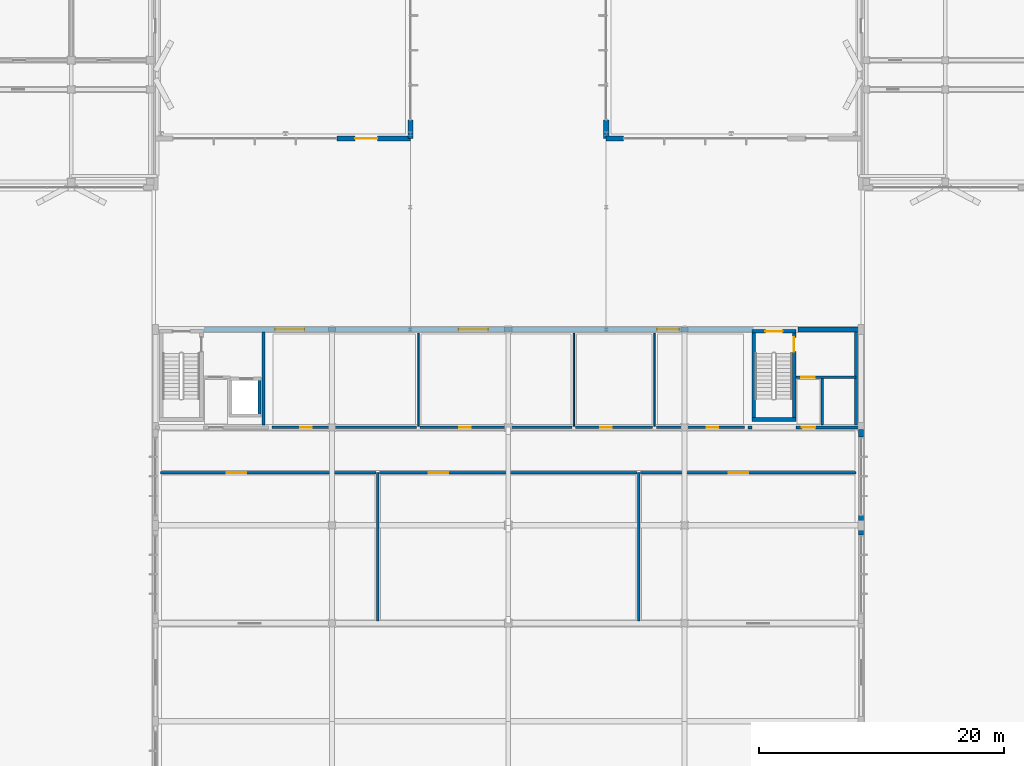
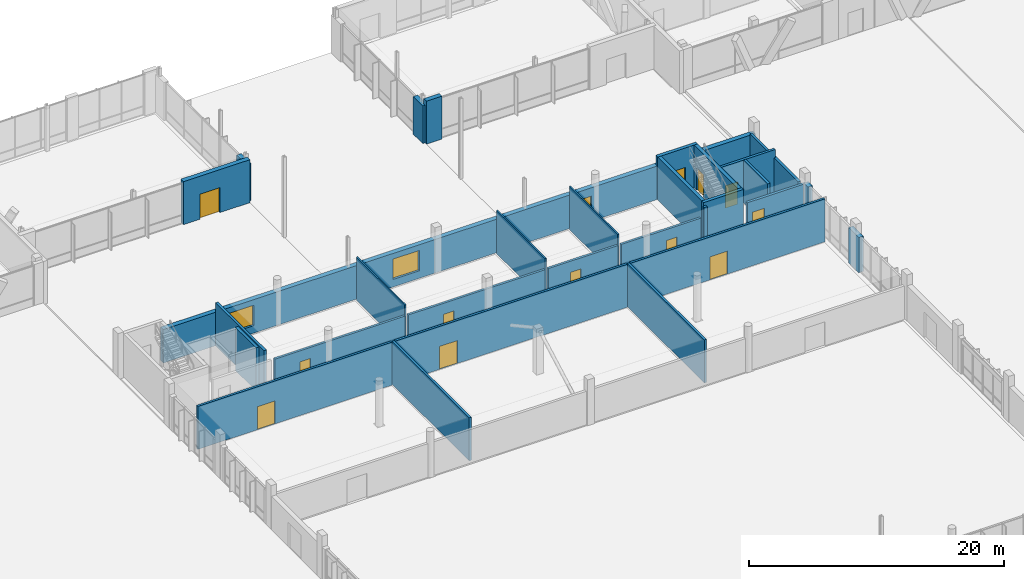
# One storey, part 199 of 233: 31 walls, 12 doors, 3 windows, 15 openings.
"""IFC4 building model written with IfcOpenShell, lengths in metres."""

from ifc_helpers import new_model, si_unit, direction, frame, frame_2d, origin, origin_with_axes, place, context, subcontext, project, spatial, rectangle, extrude, material, layer, layer_set, type_object, element, fill, save


model = new_model("IFC4")

# Units and contexts
model_context = context("Model", 3, precision=1e-05, world=origin(), true_north=direction((0.0, 1.0)))
body_context = subcontext(model_context, "Body", "Model", "MODEL_VIEW")
ifc_project = project(units=[si_unit("LENGTHUNIT", "METRE"), si_unit("AREAUNIT", "SQUARE_METRE"), si_unit("VOLUMEUNIT", "CUBIC_METRE"), si_unit("PLANEANGLEUNIT", "RADIAN"), si_unit("MASSUNIT", "GRAM", prefix="KILO")], contexts=[model_context])

# Site, building, storey
site_placement = place(None, origin())
site = spatial("IfcSite", under=ifc_project, at=site_placement, CompositionType="ELEMENT")
building_placement = place(site_placement, origin())
building = spatial("IfcBuilding", under=site, at=building_placement, Name="Zavelmont Quarter", CompositionType="ELEMENT")
storey_placement = place(building_placement, origin())
storey = spatial("IfcBuildingStorey", under=building, at=storey_placement, Name="L00", CompositionType="ELEMENT", Elevation=0.0)

# Walls
ifc_material_1 = material(Name="Natural Belgian limestone", Category="masonry")
ifc_layer_1 = layer(ifc_material_1, 0.419921875)
ifc_layer_set_1 = layer_set([ifc_layer_1], Name="Natural Belgian limestone")
wall_type_1 = type_object("IfcWallType", Name="EW04", PredefinedType="STANDARD", material=ifc_layer_set_1)
wall_1_placement = place(storey_placement, frame((112.800048828125, 69.199951171875, 0.0), z_axis=(0.0, 0.0, 1.0), x_axis=(0.0, 1.0, 0.0)))
element("IfcWall", 1, at=wall_1_placement, inside=storey, type_object=wall_type_1, Name="L00 exterior limestone wall EW04", PredefinedType="STANDARD", context=body_context, shape_type="SweptSolid", body=[
    extrude(rectangle(XDim=1.60009765625, YDim=0.419921875, at=frame_2d((0.800048828125, 0.0))), origin(), (0.0, 0.0, 1.0), 3.360107421875),
])
wall_2_placement = place(storey_placement, frame((112.800048828125, 77.199951171875, 0.0), z_axis=(0.0, 0.0, 1.0), x_axis=(0.0, 1.0, 0.0)))
element("IfcWall", 2, at=wall_2_placement, inside=storey, type_object=wall_type_1, Name="L00 exterior limestone wall EW04", PredefinedType="STANDARD", context=body_context, shape_type="SweptSolid", body=[
    extrude(rectangle(XDim=0.650146484375, YDim=0.419921875, at=frame_2d((0.3251953125, 0.0))), origin(), (0.0, 0.0, 1.0), 3.360107421875),
])

# Wall, openings, windows
wall_3_placement = place(storey_placement, frame((59.14990234375, 86.0, 0.0), z_axis=(0.0, 0.0, 1.0), x_axis=(1.0, 0.0, 0.0)))
wall_3 = element("IfcWall", 3, at=wall_3_placement, inside=storey, type_object=wall_type_1, Name="L00 exterior limestone wall EW04", PredefinedType="STANDARD", context=body_context, shape_type="SweptSolid", body=[
    extrude(rectangle(XDim=44.900146484375, YDim=0.419921875, at=frame_2d((22.4501953125, 0.0))), origin(), (0.0, 0.0, 1.0), 3.2099609375),
])
opening_1_placement = place(wall_3_placement, frame((5.800048828125, 0.0, 0.719970703125)))
opening_1 = element("IfcOpeningElement", 4, at=opening_1_placement, cuts=wall_3, Name="Opening WN06", PredefinedType="OPENING", context=body_context, shape_type="SweptSolid", body=[
    extrude(rectangle(XDim=2.39990234375, YDim=1.949951171875, at=frame_2d((1.199951171875, 0.97509765625))), frame((0.0, 0.221923828125, 0.0), z_axis=(0.0, -1.0, 0.0), x_axis=(1.0, 0.0, 0.0)), (0.0, 0.0, 1.0), 0.44384765625),
])
opening_2_placement = place(wall_3_placement, frame((20.800048828125, 0.0, 0.719970703125)))
opening_2 = element("IfcOpeningElement", 5, at=opening_2_placement, cuts=wall_3, Name="Opening WN06", PredefinedType="OPENING", context=body_context, shape_type="SweptSolid", body=[
    extrude(rectangle(XDim=2.39990234375, YDim=1.949951171875, at=frame_2d((1.199951171875, 0.97509765625))), frame((0.0, 0.221923828125, 0.0), z_axis=(0.0, -1.0, 0.0), x_axis=(1.0, 0.0, 0.0)), (0.0, 0.0, 1.0), 0.44384765625),
])
opening_3_placement = place(wall_3_placement, frame((37.0048828125, 0.0, 0.719970703125)))
opening_3 = element("IfcOpeningElement", 6, at=opening_3_placement, cuts=wall_3, Name="Opening WN02", PredefinedType="OPENING", context=body_context, shape_type="SweptSolid", body=[
    extrude(rectangle(XDim=1.800048828125, YDim=1.699951171875, at=frame_2d((0.89990234375, 0.85009765625))), frame((0.0, 0.221923828125, 0.0), z_axis=(0.0, -1.0, 0.0), x_axis=(1.0, 0.0, 0.0)), (0.0, 0.0, 1.0), 0.44384765625),
])
ifc_material_2 = material(Name="Double low-E insulated glazing in thermally broken aluminium frame", Category="aluminium")
window_type_1 = type_object("IfcWindowType", Name="WN02", PartitioningType="SINGLE_PANEL", PredefinedType="WINDOW", material=ifc_material_2)
window_1_placement = place(opening_3_placement, origin_with_axes())
window_1 = element("IfcWindow", 7, at=window_1_placement, inside=storey, type_object=window_type_1, Name="L00 window WN02", OverallHeight=1.699951171875, OverallWidth=1.800048828125, PartitioningType="SINGLE_PANEL", PredefinedType="WINDOW", context=body_context, shape_type="SweptSolid", body=[
    extrude(rectangle(XDim=1.800048828125, YDim=1.699951171875, at=frame_2d((0.89990234375, 0.85009765625))), frame((0.0, 0.030029296875, 0.0), z_axis=(0.0, -1.0, 0.0), x_axis=(1.0, 0.0, 0.0)), (0.0, 0.0, 1.0), 0.06005859375),
])
fill(opening_3, window_1)
window_type_2 = type_object("IfcWindowType", Name="WN06", PartitioningType="SINGLE_PANEL", PredefinedType="WINDOW", material=ifc_material_2)
window_2_placement = place(opening_1_placement, origin_with_axes())
window_2 = element("IfcWindow", 8, at=window_2_placement, inside=storey, type_object=window_type_2, Name="L00 window WN06", OverallHeight=1.949951171875, OverallWidth=2.39990234375, PartitioningType="SINGLE_PANEL", PredefinedType="WINDOW", context=body_context, shape_type="SweptSolid", body=[
    extrude(rectangle(XDim=2.39990234375, YDim=1.949951171875, at=frame_2d((1.199951171875, 0.97509765625))), frame((0.0, 0.030029296875, 0.0), z_axis=(0.0, -1.0, 0.0), x_axis=(1.0, 0.0, 0.0)), (0.0, 0.0, 1.0), 0.06005859375),
])
fill(opening_1, window_2)
window_3_placement = place(opening_2_placement, origin_with_axes())
window_3 = element("IfcWindow", 9, at=window_3_placement, inside=storey, type_object=window_type_2, Name="L00 window WN06", OverallHeight=1.949951171875, OverallWidth=2.39990234375, PartitioningType="SINGLE_PANEL", PredefinedType="WINDOW", context=body_context, shape_type="SweptSolid", body=[
    extrude(rectangle(XDim=2.39990234375, YDim=1.949951171875, at=frame_2d((1.199951171875, 0.97509765625))), frame((0.0, 0.030029296875, 0.0), z_axis=(0.0, -1.0, 0.0), x_axis=(1.0, 0.0, 0.0)), (0.0, 0.0, 1.0), 0.06005859375),
])
fill(opening_2, window_3)

# Wall
wall_4_placement = place(storey_placement, frame((107.64990234375, 86.0, 0.0), z_axis=(0.0, 0.0, 1.0), x_axis=(1.0, 0.0, 0.0)))
element("IfcWall", 10, at=wall_4_placement, inside=storey, type_object=wall_type_1, Name="L00 exterior limestone wall EW04", PredefinedType="STANDARD", context=body_context, shape_type="SweptSolid", body=[
    extrude(rectangle(XDim=5.150146484375, YDim=0.419921875, at=frame_2d((2.5751953125, 0.0))), origin(), (0.0, 0.0, 1.0), 3.2099609375),
])

# Wall, opening, door
wall_5_placement = place(storey_placement, frame((70.0, 101.60009765625, 0.0), z_axis=(0.0, 0.0, 1.0), x_axis=(1.0, 0.0, 0.0)))
wall_5 = element("IfcWall", 11, at=wall_5_placement, inside=storey, type_object=wall_type_1, Name="L00 exterior limestone wall EW04", PredefinedType="STANDARD", context=body_context, shape_type="SweptSolid", body=[
    extrude(rectangle(XDim=6.0, YDim=0.419921875, at=frame_2d((3.0, 0.0))), origin(), (0.0, 0.0, 1.0), 4.1201171875),
])
opening_4_placement = place(wall_5_placement, frame((1.5, 0.0, 0.0)))
opening_4 = element("IfcOpeningElement", 12, at=opening_4_placement, cuts=wall_5, Name="Opening DR01", PredefinedType="OPENING", context=body_context, shape_type="SweptSolid", body=[
    extrude(rectangle(XDim=1.800048828125, YDim=2.39990234375, at=frame_2d((0.89990234375, 1.199951171875))), frame((0.0, 0.221923828125, 0.0), z_axis=(0.0, -1.0, 0.0), x_axis=(1.0, 0.0, 0.0)), (0.0, 0.0, 1.0), 0.44384765625),
])
ifc_material_3 = material(Name="Powder-coated aluminium and tempered double safety glass", Category="aluminium")
door_type_1 = type_object("IfcDoorType", Name="DR01", OperationType="DOUBLE_DOOR_SINGLE_SWING", PredefinedType="DOOR", material=ifc_material_3)
door_1_placement = place(opening_4_placement, frame((1.800048828125, 0.0, 0.0), z_axis=(0.0, 0.0, 1.0), x_axis=(-1.0, 0.0, 0.0)))
door_1 = element("IfcDoor", 13, at=door_1_placement, inside=storey, type_object=door_type_1, Name="L00 exterior door DR01", OperationType="DOUBLE_DOOR_SINGLE_SWING", OverallHeight=2.39990234375, OverallWidth=1.800048828125, PredefinedType="DOOR", context=body_context, shape_type="SweptSolid", body=[
    extrude(rectangle(XDim=1.800048828125, YDim=2.39990234375, at=frame_2d((0.89990234375, 1.199951171875))), frame((0.0, 0.02490234375, 0.0), z_axis=(0.0, -1.0, 0.0), x_axis=(1.0, 0.0, 0.0)), (0.0, 0.0, 1.0), 0.050048828125),
])
fill(opening_4, door_1)

# Walls
wall_6_placement = place(storey_placement, frame((76.0, 101.60009765625, 0.0), z_axis=(0.0, 0.0, 1.0), x_axis=(0.0, 1.0, 0.0)))
element("IfcWall", 14, at=wall_6_placement, inside=storey, type_object=wall_type_1, Name="L00 exterior limestone wall EW04", PredefinedType="STANDARD", context=body_context, shape_type="SweptSolid", body=[
    extrude(rectangle(XDim=1.5, YDim=0.419921875, at=frame_2d((0.75, 0.0))), origin(), (0.0, 0.0, 1.0), 3.610107421875),
])
wall_7_placement = place(storey_placement, frame((92.0, 101.60009765625, 0.0), z_axis=(0.0, 0.0, 1.0), x_axis=(1.0, 0.0, 0.0)))
element("IfcWall", 15, at=wall_7_placement, inside=storey, type_object=wall_type_1, Name="L00 exterior limestone wall EW04", PredefinedType="STANDARD", context=body_context, shape_type="SweptSolid", body=[
    extrude(rectangle(XDim=1.39990234375, YDim=0.419921875, at=frame_2d((0.699951171875, 0.0))), origin(), (0.0, 0.0, 1.0), 4.1201171875),
])
wall_8_placement = place(storey_placement, frame((92.0, 101.60009765625, 0.0), z_axis=(0.0, 0.0, 1.0), x_axis=(0.0, 1.0, 0.0)))
element("IfcWall", 16, at=wall_8_placement, inside=storey, type_object=wall_type_1, Name="L00 exterior limestone wall EW04", PredefinedType="STANDARD", context=body_context, shape_type="SweptSolid", body=[
    extrude(rectangle(XDim=1.5, YDim=0.419921875, at=frame_2d((0.75, 0.0))), origin(), (0.0, 0.0, 1.0), 3.610107421875),
])

# Wall, opening, door
ifc_material_4 = material(Name="Calcium-silicate blockwork and acoustic plaster", Category="masonry")
ifc_layer_2 = layer(ifc_material_4, 0.199951171875)
ifc_layer_set_2 = layer_set([ifc_layer_2], Name="Calcium-silicate blockwork and acoustic plaster")
wall_type_2 = type_object("IfcWallType", Name="IW01", PredefinedType="PARTITIONING", material=ifc_layer_set_2)
wall_9_placement = place(storey_placement, frame((55.60009765625, 74.300048828125, 0.0), z_axis=(0.0, 0.0, 1.0), x_axis=(1.0, 0.0, 0.0)))
wall_9 = element("IfcWall", 17, at=wall_9_placement, inside=storey, type_object=wall_type_2, Name="L00 Interior partition IW01", PredefinedType="PARTITIONING", context=body_context, shape_type="SweptSolid", body=[
    extrude(rectangle(XDim=17.599853515625, YDim=0.199951171875, at=frame_2d((8.7998046875, 0.0))), origin(), (0.0, 0.0, 1.0), 4.1201171875),
])
opening_5_placement = place(wall_9_placement, frame((5.39990234375, 0.0, 0.0)))
opening_5 = element("IfcOpeningElement", 18, at=opening_5_placement, cuts=wall_9, Name="Opening DR12", PredefinedType="OPENING", context=body_context, shape_type="SweptSolid", body=[
    extrude(rectangle(XDim=1.60009765625, YDim=2.199951171875, at=frame_2d((0.800048828125, 1.10009765625))), frame((0.0, 0.11181640625, 0.0), z_axis=(0.0, -1.0, 0.0), x_axis=(1.0, 0.0, 0.0)), (0.0, 0.0, 1.0), 0.223876953125),
])
ifc_material_5 = material(Name="Glazed oak acoustic fire door pair")
door_type_2 = type_object("IfcDoorType", Name="DR12", OperationType="DOUBLE_DOOR_SINGLE_SWING", PredefinedType="DOOR", material=ifc_material_5)
door_2_placement = place(opening_5_placement, frame((1.60009765625, 0.0, 0.0), z_axis=(0.0, 0.0, 1.0), x_axis=(-1.0, 0.0, 0.0)))
door_2 = element("IfcDoor", 19, at=door_2_placement, inside=storey, type_object=door_type_2, Name="L00 door DR12", OperationType="DOUBLE_DOOR_SINGLE_SWING", OverallHeight=2.199951171875, OverallWidth=1.60009765625, PredefinedType="DOOR", context=body_context, shape_type="SweptSolid", body=[
    extrude(rectangle(XDim=1.60009765625, YDim=2.199951171875, at=frame_2d((0.800048828125, 1.10009765625))), frame((0.0, 0.02490234375, 0.0), z_axis=(0.0, -1.0, 0.0), x_axis=(1.0, 0.0, 0.0)), (0.0, 0.0, 1.0), 0.050048828125),
])
fill(opening_5, door_2)

wall_10_placement = place(storey_placement, frame((73.5, 74.300048828125, 0.0), z_axis=(0.0, 0.0, 1.0), x_axis=(1.0, 0.0, 0.0)))
wall_10 = element("IfcWall", 20, at=wall_10_placement, inside=storey, type_object=wall_type_2, Name="L00 Interior partition IW01", PredefinedType="PARTITIONING", context=body_context, shape_type="SweptSolid", body=[
    extrude(rectangle(XDim=21.0, YDim=0.199951171875, at=frame_2d((10.5, 0.0))), origin(), (0.0, 0.0, 1.0), 4.1201171875),
])
opening_6_placement = place(wall_10_placement, frame((4.0, 0.0, 0.0)))
opening_6 = element("IfcOpeningElement", 21, at=opening_6_placement, cuts=wall_10, Name="Opening DR12", PredefinedType="OPENING", context=body_context, shape_type="SweptSolid", body=[
    extrude(rectangle(XDim=1.60009765625, YDim=2.199951171875, at=frame_2d((0.800048828125, 1.10009765625))), frame((0.0, 0.11181640625, 0.0), z_axis=(0.0, -1.0, 0.0), x_axis=(1.0, 0.0, 0.0)), (0.0, 0.0, 1.0), 0.223876953125),
])
door_3_placement = place(opening_6_placement, origin_with_axes())
door_3 = element("IfcDoor", 22, at=door_3_placement, inside=storey, type_object=door_type_2, Name="L00 door DR12", OperationType="DOUBLE_DOOR_SINGLE_SWING", OverallHeight=2.199951171875, OverallWidth=1.60009765625, PredefinedType="DOOR", context=body_context, shape_type="SweptSolid", body=[
    extrude(rectangle(XDim=1.60009765625, YDim=2.199951171875, at=frame_2d((0.800048828125, 1.10009765625))), frame((0.0, 0.02490234375, 0.0), z_axis=(0.0, -1.0, 0.0), x_axis=(1.0, 0.0, 0.0)), (0.0, 0.0, 1.0), 0.050048828125),
])
fill(opening_6, door_3)

wall_11_placement = place(storey_placement, frame((94.800048828125, 74.300048828125, 0.0), z_axis=(0.0, 0.0, 1.0), x_axis=(1.0, 0.0, 0.0)))
wall_11 = element("IfcWall", 23, at=wall_11_placement, inside=storey, type_object=wall_type_2, Name="L00 Interior partition IW01", PredefinedType="PARTITIONING", context=body_context, shape_type="SweptSolid", body=[
    extrude(rectangle(XDim=17.599853515625, YDim=0.199951171875, at=frame_2d((8.7998046875, 0.0))), origin(), (0.0, 0.0, 1.0), 4.1201171875),
])
opening_7_placement = place(wall_11_placement, frame((7.199951171875, 0.0, 0.0)))
opening_7 = element("IfcOpeningElement", 24, at=opening_7_placement, cuts=wall_11, Name="Opening DR12", PredefinedType="OPENING", context=body_context, shape_type="SweptSolid", body=[
    extrude(rectangle(XDim=1.60009765625, YDim=2.199951171875, at=frame_2d((0.800048828125, 1.10009765625))), frame((0.0, 0.11181640625, 0.0), z_axis=(0.0, -1.0, 0.0), x_axis=(1.0, 0.0, 0.0)), (0.0, 0.0, 1.0), 0.223876953125),
])
door_4_placement = place(opening_7_placement, frame((1.60009765625, 0.0, 0.0), z_axis=(0.0, 0.0, 1.0), x_axis=(-1.0, 0.0, 0.0)))
door_4 = element("IfcDoor", 25, at=door_4_placement, inside=storey, type_object=door_type_2, Name="L00 door DR12", OperationType="DOUBLE_DOOR_SINGLE_SWING", OverallHeight=2.199951171875, OverallWidth=1.60009765625, PredefinedType="DOOR", context=body_context, shape_type="SweptSolid", body=[
    extrude(rectangle(XDim=1.60009765625, YDim=2.199951171875, at=frame_2d((0.800048828125, 1.10009765625))), frame((0.0, 0.02490234375, 0.0), z_axis=(0.0, -1.0, 0.0), x_axis=(1.0, 0.0, 0.0)), (0.0, 0.0, 1.0), 0.050048828125),
])
fill(opening_7, door_4)

# Walls
for number, where, z_axis, x_axis, name in (
    (26, (73.35009765625, 62.199951171875, 0.0), (0.0, 0.0, 1.0), (0.0, 1.0, 0.0), "L00 Interior partition IW01"),
    (27, (94.64990234375, 62.199951171875, 0.0), (0.0, 0.0, 1.0), (0.0, 1.0, 0.0), "L00 Interior partition IW01"),
):
    element("IfcWall", number, at=place(storey_placement, frame(where, z_axis=z_axis, x_axis=x_axis)), inside=storey, type_object=wall_type_2, Name=name, PredefinedType="PARTITIONING", context=body_context, shape_type="SweptSolid", body=[
        extrude(rectangle(XDim=12.10009765625, YDim=0.199951171875, at=frame_2d((6.050048828125, 0.0))), origin(), (0.0, 0.0, 1.0), 4.1201171875),
    ])

# Wall, opening, door
wall_12_placement = place(storey_placement, frame((64.699951171875, 78.0, 0.0), z_axis=(0.0, 0.0, 1.0), x_axis=(1.0, 0.0, 0.0)))
wall_12 = element("IfcWall", 28, at=wall_12_placement, inside=storey, type_object=wall_type_2, Name="L00 Interior partition IW01", PredefinedType="PARTITIONING", context=body_context, shape_type="SweptSolid", body=[
    extrude(rectangle(XDim=11.800048828125, YDim=0.199951171875, at=frame_2d((5.89990234375, 0.0))), origin(), (0.0, 0.0, 1.0), 3.2099609375),
])
opening_8_placement = place(wall_12_placement, frame((2.300048828125, 0.0, 0.0)))
opening_8 = element("IfcOpeningElement", 29, at=opening_8_placement, cuts=wall_12, Name="Opening DR02", PredefinedType="OPENING", context=body_context, shape_type="SweptSolid", body=[
    extrude(rectangle(XDim=0.949951171875, YDim=2.14990234375, at=frame_2d((0.47509765625, 1.074951171875))), frame((0.0, 0.11181640625, 0.0), z_axis=(0.0, -1.0, 0.0), x_axis=(1.0, 0.0, 0.0)), (0.0, 0.0, 1.0), 0.223876953125),
])
ifc_material_6 = material(Name="Solid-core oak fire leaf in steel frame", Category="steel")
door_type_3 = type_object("IfcDoorType", Name="DR02", OperationType="NOTDEFINED", PredefinedType="DOOR", material=ifc_material_6)
door_5_placement = place(opening_8_placement, origin_with_axes())
door_5 = element("IfcDoor", 30, at=door_5_placement, inside=storey, type_object=door_type_3, Name="L00 door DR02", OperationType="SINGLE_SWING_LEFT", OverallHeight=2.14990234375, OverallWidth=0.949951171875, PredefinedType="DOOR", context=body_context, shape_type="SweptSolid", body=[
    extrude(rectangle(XDim=0.949951171875, YDim=2.14990234375, at=frame_2d((0.47509765625, 1.074951171875))), frame((0.0, 0.02490234375, 0.0), z_axis=(0.0, -1.0, 0.0), x_axis=(1.0, 0.0, 0.0)), (0.0, 0.0, 1.0), 0.050048828125),
])
fill(opening_8, door_5)

wall_13_placement = place(storey_placement, frame((76.800048828125, 78.0, 0.0), z_axis=(0.0, 0.0, 1.0), x_axis=(1.0, 0.0, 0.0)))
wall_13 = element("IfcWall", 31, at=wall_13_placement, inside=storey, type_object=wall_type_2, Name="L00 Interior partition IW01", PredefinedType="PARTITIONING", context=body_context, shape_type="SweptSolid", body=[
    extrude(rectangle(XDim=12.39990234375, YDim=0.199951171875, at=frame_2d((6.199951171875, 0.0))), origin(), (0.0, 0.0, 1.0), 3.2099609375),
])
opening_9_placement = place(wall_13_placement, frame((3.199951171875, 0.0, 0.0)))
opening_9 = element("IfcOpeningElement", 32, at=opening_9_placement, cuts=wall_13, Name="Opening DR02", PredefinedType="OPENING", context=body_context, shape_type="SweptSolid", body=[
    extrude(rectangle(XDim=0.949951171875, YDim=2.14990234375, at=frame_2d((0.47509765625, 1.074951171875))), frame((0.0, 0.11181640625, 0.0), z_axis=(0.0, -1.0, 0.0), x_axis=(1.0, 0.0, 0.0)), (0.0, 0.0, 1.0), 0.223876953125),
])
door_6_placement = place(opening_9_placement, frame((0.949951171875, 0.0, 0.0), z_axis=(0.0, 0.0, 1.0), x_axis=(-1.0, 0.0, 0.0)))
door_6 = element("IfcDoor", 33, at=door_6_placement, inside=storey, type_object=door_type_3, Name="L00 door DR02", OperationType="SINGLE_SWING_LEFT", OverallHeight=2.14990234375, OverallWidth=0.949951171875, PredefinedType="DOOR", context=body_context, shape_type="SweptSolid", body=[
    extrude(rectangle(XDim=0.949951171875, YDim=2.14990234375, at=frame_2d((0.47509765625, 1.074951171875))), frame((0.0, 0.02490234375, 0.0), z_axis=(0.0, -1.0, 0.0), x_axis=(1.0, 0.0, 0.0)), (0.0, 0.0, 1.0), 0.050048828125),
])
fill(opening_9, door_6)

wall_14_placement = place(storey_placement, frame((89.5, 78.0, 0.0), z_axis=(0.0, 0.0, 1.0), x_axis=(1.0, 0.0, 0.0)))
wall_14 = element("IfcWall", 34, at=wall_14_placement, inside=storey, type_object=wall_type_2, Name="L00 Interior partition IW01", PredefinedType="PARTITIONING", context=body_context, shape_type="SweptSolid", body=[
    extrude(rectangle(XDim=6.300048828125, YDim=0.199951171875, at=frame_2d((3.14990234375, 0.0))), origin(), (0.0, 0.0, 1.0), 3.2099609375),
])
opening_10_placement = place(wall_14_placement, frame((2.0, 0.0, 0.0)))
opening_10 = element("IfcOpeningElement", 35, at=opening_10_placement, cuts=wall_14, Name="Opening DR02", PredefinedType="OPENING", context=body_context, shape_type="SweptSolid", body=[
    extrude(rectangle(XDim=0.949951171875, YDim=2.14990234375, at=frame_2d((0.47509765625, 1.074951171875))), frame((0.0, 0.11181640625, 0.0), z_axis=(0.0, -1.0, 0.0), x_axis=(1.0, 0.0, 0.0)), (0.0, 0.0, 1.0), 0.223876953125),
])
door_7_placement = place(opening_10_placement, origin_with_axes())
door_7 = element("IfcDoor", 36, at=door_7_placement, inside=storey, type_object=door_type_3, Name="L00 door DR02", OperationType="SINGLE_SWING_LEFT", OverallHeight=2.14990234375, OverallWidth=0.949951171875, PredefinedType="DOOR", context=body_context, shape_type="SweptSolid", body=[
    extrude(rectangle(XDim=0.949951171875, YDim=2.14990234375, at=frame_2d((0.47509765625, 1.074951171875))), frame((0.0, 0.02490234375, 0.0), z_axis=(0.0, -1.0, 0.0), x_axis=(1.0, 0.0, 0.0)), (0.0, 0.0, 1.0), 0.050048828125),
])
fill(opening_10, door_7)

wall_15_placement = place(storey_placement, frame((96.10009765625, 78.0, 0.0), z_axis=(0.0, 0.0, 1.0), x_axis=(1.0, 0.0, 0.0)))
wall_15 = element("IfcWall", 37, at=wall_15_placement, inside=storey, type_object=wall_type_2, Name="L00 Interior partition IW01", PredefinedType="PARTITIONING", context=body_context, shape_type="SweptSolid", body=[
    extrude(rectangle(XDim=7.199951171875, YDim=0.199951171875, at=frame_2d((3.60009765625, 0.0))), origin(), (0.0, 0.0, 1.0), 3.2099609375),
])
opening_11_placement = place(wall_15_placement, frame((4.10009765625, 0.0, 0.0)))
opening_11 = element("IfcOpeningElement", 38, at=opening_11_placement, cuts=wall_15, Name="Opening DR02", PredefinedType="OPENING", context=body_context, shape_type="SweptSolid", body=[
    extrude(rectangle(XDim=0.949951171875, YDim=2.14990234375, at=frame_2d((0.47509765625, 1.074951171875))), frame((0.0, 0.11181640625, 0.0), z_axis=(0.0, -1.0, 0.0), x_axis=(1.0, 0.0, 0.0)), (0.0, 0.0, 1.0), 0.223876953125),
])
door_8_placement = place(opening_11_placement, frame((0.949951171875, 0.0, 0.0), z_axis=(0.0, 0.0, 1.0), x_axis=(-1.0, 0.0, 0.0)))
door_8 = element("IfcDoor", 39, at=door_8_placement, inside=storey, type_object=door_type_3, Name="L00 door DR02", OperationType="SINGLE_SWING_LEFT", OverallHeight=2.14990234375, OverallWidth=0.949951171875, PredefinedType="DOOR", context=body_context, shape_type="SweptSolid", body=[
    extrude(rectangle(XDim=0.949951171875, YDim=2.14990234375, at=frame_2d((0.47509765625, 1.074951171875))), frame((0.0, 0.02490234375, 0.0), z_axis=(0.0, -1.0, 0.0), x_axis=(1.0, 0.0, 0.0)), (0.0, 0.0, 1.0), 0.050048828125),
])
fill(opening_11, door_8)

# Walls
ifc_material_7 = material(Name="Reinforced masonry fire compartment wall", Category="masonry")
ifc_layer_3 = layer(ifc_material_7, 0.22509765625)
ifc_layer_set_3 = layer_set([ifc_layer_3], Name="Reinforced masonry fire compartment wall")
wall_type_3 = type_object("IfcWallType", Name="IW02", PredefinedType="PARTITIONING", material=ifc_layer_set_3)
wall_16_placement = place(storey_placement, frame((64.010009765625, 78.199951171875, 0.0), z_axis=(0.0, 0.0, 1.0), x_axis=(0.0, 1.0, 0.0)))
element("IfcWall", 40, at=wall_16_placement, inside=storey, type_object=wall_type_3, Name="L00 Firefighting lobby enclosure wall IW02", PredefinedType="PARTITIONING", context=body_context, shape_type="SweptSolid", body=[
    extrude(rectangle(XDim=7.60009765625, YDim=0.22509765625, at=frame_2d((3.800048828125, 0.0))), origin(), (0.0, 0.0, 1.0), 4.1201171875),
])
wall_17_placement = place(storey_placement, frame((112.409912109375, 78.199951171875, 0.0), z_axis=(0.0, 0.0, 1.0), x_axis=(0.0, 1.0, 0.0)))
element("IfcWall", 41, at=wall_17_placement, inside=storey, type_object=wall_type_3, Name="L00 Firefighting lobby enclosure wall IW02", PredefinedType="PARTITIONING", context=body_context, shape_type="SweptSolid", body=[
    extrude(rectangle(XDim=7.60009765625, YDim=0.22509765625, at=frame_2d((3.800048828125, 0.0))), origin(), (0.0, 0.0, 1.0), 3.360107421875),
])
wall_18_placement = place(storey_placement, frame((109.64990234375, 78.199951171875, 0.0), z_axis=(0.0, 0.0, 1.0), x_axis=(0.0, 1.0, 0.0)))
element("IfcWall", 42, at=wall_18_placement, inside=storey, type_object=wall_type_3, Name="L00 Vestibule side wall IW02", PredefinedType="PARTITIONING", context=body_context, shape_type="SweptSolid", body=[
    extrude(rectangle(XDim=3.800048828125, YDim=0.22509765625, at=frame_2d((1.89990234375, 0.0))), origin(), (0.0, 0.0, 1.0), 4.1201171875),
])

# Wall, opening, door
wall_19_placement = place(storey_placement, frame((107.5, 82.10009765625, 0.0), z_axis=(0.0, 0.0, 1.0), x_axis=(1.0, 0.0, 0.0)))
wall_19 = element("IfcWall", 43, at=wall_19_placement, inside=storey, type_object=wall_type_3, Name="L00 Firefighting lobby threshold wall IW02", PredefinedType="PARTITIONING", context=body_context, shape_type="SweptSolid", body=[
    extrude(rectangle(XDim=4.909912109375, YDim=0.22509765625, at=frame_2d((2.455078125, 0.0))), origin(), (0.0, 0.0, 1.0), 4.1201171875),
])
opening_12_placement = place(wall_19_placement, frame((0.449951171875, 0.0, 0.0)))
opening_12 = element("IfcOpeningElement", 44, at=opening_12_placement, cuts=wall_19, Name="Opening DR10", PredefinedType="OPENING", context=body_context, shape_type="SweptSolid", body=[
    extrude(rectangle(XDim=1.10009765625, YDim=2.14990234375, at=frame_2d((0.550048828125, 1.074951171875))), frame((0.0, 0.12451171875, 0.0), z_axis=(0.0, -1.0, 0.0), x_axis=(1.0, 0.0, 0.0)), (0.0, 0.0, 1.0), 0.2490234375),
])
ifc_material_8 = material(Name="Painted steel lobby fire door", Category="steel")
door_type_4 = type_object("IfcDoorType", Name="DR10", OperationType="NOTDEFINED", PredefinedType="DOOR", material=ifc_material_8)
door_9_placement = place(opening_12_placement, origin_with_axes())
door_9 = element("IfcDoor", 45, at=door_9_placement, inside=storey, type_object=door_type_4, Name="Firefighting lobby fire door", OperationType="SINGLE_SWING_LEFT", OverallHeight=2.14990234375, OverallWidth=1.10009765625, PredefinedType="DOOR", context=body_context, shape_type="SweptSolid", body=[
    extrude(rectangle(XDim=1.10009765625, YDim=2.14990234375, at=frame_2d((0.550048828125, 1.074951171875))), frame((0.0, 0.02490234375, 0.0), z_axis=(0.0, -1.0, 0.0), x_axis=(1.0, 0.0, 0.0)), (0.0, 0.0, 1.0), 0.050048828125),
])
fill(opening_12, door_9)

# Wall
wall_20_placement = place(storey_placement, frame((103.60009765625, 78.0, 0.0), z_axis=(0.0, 0.0, 1.0), x_axis=(1.0, 0.0, 0.0)))
element("IfcWall", 46, at=wall_20_placement, inside=storey, type_object=wall_type_3, Name="L00 Core corridor wall IW02", PredefinedType="PARTITIONING", context=body_context, shape_type="SweptSolid", body=[
    extrude(rectangle(XDim=0.2998046875, YDim=0.22509765625, at=frame_2d((0.14990234375, 0.0))), origin(), (0.0, 0.0, 1.0), 4.1201171875),
])

# Wall, opening, door
wall_21_placement = place(storey_placement, frame((107.5, 78.0, 0.0), z_axis=(0.0, 0.0, 1.0), x_axis=(1.0, 0.0, 0.0)))
wall_21 = element("IfcWall", 47, at=wall_21_placement, inside=storey, type_object=wall_type_3, Name="L00 Core corridor fire wall IW02", PredefinedType="PARTITIONING", context=body_context, shape_type="SweptSolid", body=[
    extrude(rectangle(XDim=5.300048828125, YDim=0.22509765625, at=frame_2d((2.64990234375, 0.0))), origin(), (0.0, 0.0, 1.0), 3.2099609375),
])
opening_13_placement = place(wall_21_placement, frame((0.47509765625, 0.0, 0.0)))
opening_13 = element("IfcOpeningElement", 48, at=opening_13_placement, cuts=wall_21, Name="Opening DR10", PredefinedType="OPENING", context=body_context, shape_type="SweptSolid", body=[
    extrude(rectangle(XDim=1.10009765625, YDim=2.14990234375, at=frame_2d((0.550048828125, 1.074951171875))), frame((0.0, 0.12451171875, 0.0), z_axis=(0.0, -1.0, 0.0), x_axis=(1.0, 0.0, 0.0)), (0.0, 0.0, 1.0), 0.2490234375),
])
door_10_placement = place(opening_13_placement, origin_with_axes())
door_10 = element("IfcDoor", 49, at=door_10_placement, inside=storey, type_object=door_type_4, Name="Core vestibule fire door", OperationType="SINGLE_SWING_RIGHT", OverallHeight=2.14990234375, OverallWidth=1.10009765625, PredefinedType="DOOR", context=body_context, shape_type="SweptSolid", body=[
    extrude(rectangle(XDim=1.10009765625, YDim=2.14990234375, at=frame_2d((0.550048828125, 1.074951171875))), frame((0.0, 0.02490234375, 0.0), z_axis=(0.0, -1.0, 0.0), x_axis=(1.0, 0.0, 0.0)), (0.0, 0.0, 1.0), 0.050048828125),
])
fill(opening_13, door_10)

# Walls
ifc_material_9 = material(Name="Double gypsum board on acoustic steel stud", Category="steel")
ifc_layer_4 = layer(ifc_material_9, 0.125)
ifc_layer_set_4 = layer_set([ifc_layer_4], Name="Double gypsum board on acoustic steel stud")
wall_type_4 = type_object("IfcWallType", Name="IW03", PredefinedType="PARTITIONING", material=ifc_layer_set_4)
for number, where, z_axis, x_axis, name in (
    (50, (76.64990234375, 78.10009765625, 0.0), (0.0, 0.0, 1.0), (0.0, 1.0, 0.0), "L00 Interior partition IW03"),
    (51, (89.35009765625, 78.10009765625, 0.0), (0.0, 0.0, 1.0), (0.0, 1.0, 0.0), "L00 Interior partition IW03"),
    (52, (95.949951171875, 78.10009765625, 0.0), (0.0, 0.0, 1.0), (0.0, 1.0, 0.0), "L00 Interior partition IW03"),
):
    element("IfcWall", number, at=place(storey_placement, frame(where, z_axis=z_axis, x_axis=x_axis)), inside=storey, type_object=wall_type_4, Name=name, PredefinedType="PARTITIONING", context=body_context, shape_type="SweptSolid", body=[
        extrude(rectangle(XDim=7.599853515625, YDim=0.125, at=frame_2d((3.7998046875, 0.0))), origin(), (0.0, 0.0, 1.0), 4.1201171875),
    ])
ifc_material_10 = material(Name="Concrete C40/50", Category="concrete")
ifc_layer_5 = layer(ifc_material_10, 0.300048828125)
ifc_layer_set_5 = layer_set([ifc_layer_5], Name="Concrete C40/50")
wall_type_5 = type_object("IfcWallType", Name="SW01", PredefinedType="SHEAR", material=ifc_layer_set_5)
wall_22_placement = place(storey_placement, frame((103.89990234375, 78.64990234375, 0.0), z_axis=(0.0, 0.0, 1.0), x_axis=(1.0, 0.0, 0.0)))
element("IfcWall", 53, at=wall_22_placement, inside=storey, type_object=wall_type_5, Name="L00 ST10 corridor shear wall SW01", PredefinedType="SHEAR", context=body_context, shape_type="SweptSolid", body=[
    extrude(rectangle(XDim=3.60009765625, YDim=0.300048828125, at=frame_2d((1.800048828125, 0.0))), origin(), (0.0, 0.0, 1.0), 4.1201171875),
])
wall_23_placement = place(storey_placement, frame((104.050048828125, 78.5, 0.0), z_axis=(0.0, 0.0, 1.0), x_axis=(0.0, 1.0, 0.0)))
element("IfcWall", 54, at=wall_23_placement, inside=storey, type_object=wall_type_5, Name="L00 ST10 west shear wall SW01", PredefinedType="SHEAR", context=body_context, shape_type="SweptSolid", body=[
    extrude(rectangle(XDim=7.5, YDim=0.300048828125, at=frame_2d((3.75, 0.0))), origin(), (0.0, 0.0, 1.0), 4.1201171875),
])

# Wall, opening, door
wall_24_placement = place(storey_placement, frame((107.35009765625, 78.5, 0.0), z_axis=(0.0, 0.0, 1.0), x_axis=(0.0, 1.0, 0.0)))
wall_24 = element("IfcWall", 55, at=wall_24_placement, inside=storey, type_object=wall_type_5, Name="L00 ST10 lobby shear wall SW01", PredefinedType="SHEAR", context=body_context, shape_type="SweptSolid", body=[
    extrude(rectangle(XDim=7.5, YDim=0.300048828125, at=frame_2d((3.75, 0.0))), origin(), (0.0, 0.0, 1.0), 4.1201171875),
])
opening_14_placement = place(wall_24_placement, frame((5.699951171875, 0.0, 0.0)))
opening_14 = element("IfcOpeningElement", 56, at=opening_14_placement, cuts=wall_24, Name="Opening DR09", PredefinedType="OPENING", context=body_context, shape_type="SweptSolid", body=[
    extrude(rectangle(XDim=1.14990234375, YDim=2.14990234375, at=frame_2d((0.574951171875, 1.074951171875))), frame((0.0, 0.162109375, 0.0), z_axis=(0.0, -1.0, 0.0), x_axis=(1.0, 0.0, 0.0)), (0.0, 0.0, 1.0), 0.323974609375),
])
ifc_material_11 = material(Name="Painted steel stair-core fire door", Category="steel")
door_type_5 = type_object("IfcDoorType", Name="DR09", OperationType="NOTDEFINED", PredefinedType="DOOR", material=ifc_material_11)
door_11_placement = place(opening_14_placement, origin_with_axes())
door_11 = element("IfcDoor", 57, at=door_11_placement, inside=storey, type_object=door_type_5, Name="ST10 protected stair door", OperationType="SINGLE_SWING_LEFT", OverallHeight=2.14990234375, OverallWidth=1.14990234375, PredefinedType="DOOR", context=body_context, shape_type="SweptSolid", body=[
    extrude(rectangle(XDim=1.14990234375, YDim=2.14990234375, at=frame_2d((0.574951171875, 1.074951171875))), frame((0.0, 0.02490234375, 0.0), z_axis=(0.0, -1.0, 0.0), x_axis=(1.0, 0.0, 0.0)), (0.0, 0.0, 1.0), 0.050048828125),
])
fill(opening_14, door_11)

# Wall
ifc_layer_6 = layer(ifc_material_10, 0.25)
ifc_layer_set_6 = layer_set([ifc_layer_6], Name="Concrete C40/50")
wall_type_6 = type_object("IfcWallType", Name="SW02", PredefinedType="SHEAR", material=ifc_layer_set_6)
wall_25_placement = place(storey_placement, frame((63.675048828125, 78.85009765625, 0.0), z_axis=(0.0, 0.0, 1.0), x_axis=(0.0, 1.0, 0.0)))
element("IfcWall", 58, at=wall_25_placement, inside=storey, type_object=wall_type_6, Name="L00 Lift LF09 east shaft wall SW02", PredefinedType="SHEAR", context=body_context, shape_type="SweptSolid", body=[
    extrude(rectangle(XDim=3.25, YDim=0.25, at=frame_2d((1.625, 0.0))), origin(), (0.0, 0.0, 1.0), 4.1201171875),
])

# Wall, opening, door
ifc_layer_7 = layer(ifc_material_10, 0.300048828125)
ifc_layer_set_7 = layer_set([ifc_layer_7], Name="Concrete C40/50")
wall_type_7 = type_object("IfcWallType", Name="SW03", PredefinedType="SHEAR", material=ifc_layer_set_7)
wall_26_placement = place(storey_placement, frame((103.89990234375, 85.85009765625, 0.0), z_axis=(0.0, 0.0, 1.0), x_axis=(1.0, 0.0, 0.0)))
wall_26 = element("IfcWall", 59, at=wall_26_placement, inside=storey, type_object=wall_type_7, Name="L00 ST10 outer shear wall SW03", PredefinedType="SHEAR", context=body_context, shape_type="SweptSolid", body=[
    extrude(rectangle(XDim=3.60009765625, YDim=0.300048828125, at=frame_2d((1.800048828125, 0.0))), origin(), (0.0, 0.0, 1.0), 4.1201171875),
])
opening_15_placement = place(wall_26_placement, frame((1.10009765625, 0.0, 0.0)))
opening_15 = element("IfcOpeningElement", 60, at=opening_15_placement, cuts=wall_26, Name="Opening DR15", PredefinedType="OPENING", context=body_context, shape_type="SweptSolid", body=[
    extrude(rectangle(XDim=1.39990234375, YDim=2.25, at=frame_2d((0.699951171875, 1.125))), frame((0.0, 0.162109375, 0.0), z_axis=(0.0, -1.0, 0.0), x_axis=(1.0, 0.0, 0.0)), (0.0, 0.0, 1.0), 0.323974609375),
])
ifc_material_12 = material(Name="Powder-coated steel final-exit stair door", Category="steel")
door_type_6 = type_object("IfcDoorType", Name="DR15", OperationType="DOUBLE_DOOR_SINGLE_SWING", PredefinedType="DOOR", material=ifc_material_12)
door_12_placement = place(opening_15_placement, origin_with_axes())
door_12 = element("IfcDoor", 61, at=door_12_placement, inside=storey, type_object=door_type_6, Name="Community Hall ST10 courtyard final exit door", OperationType="DOUBLE_DOOR_SINGLE_SWING", OverallHeight=2.25, OverallWidth=1.39990234375, PredefinedType="DOOR", context=body_context, shape_type="SweptSolid", body=[
    extrude(rectangle(XDim=1.39990234375, YDim=2.25, at=frame_2d((0.699951171875, 1.125))), frame((0.0, 0.02490234375, 0.0), z_axis=(0.0, -1.0, 0.0), x_axis=(1.0, 0.0, 0.0)), (0.0, 0.0, 1.0), 0.050048828125),
])
fill(opening_15, door_12)

save(model, "model.ifc")
